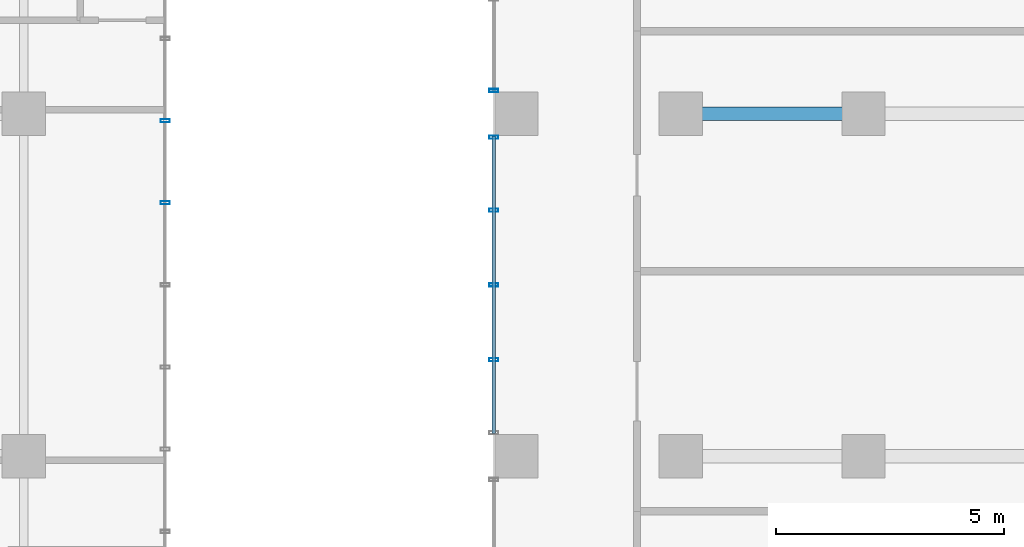
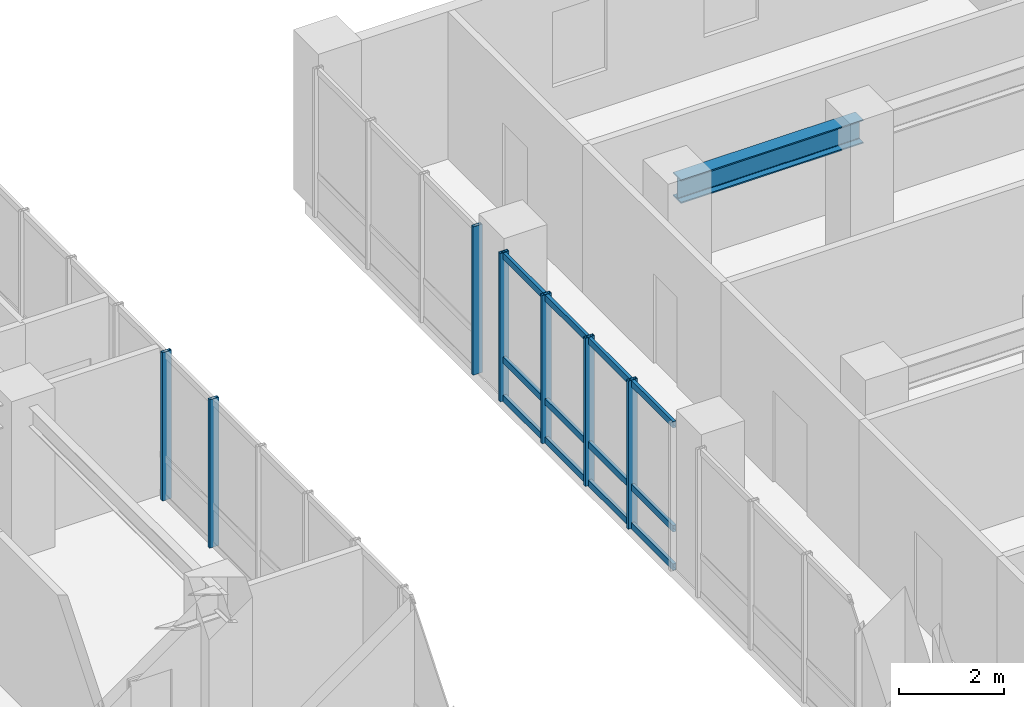
# One storey, part 12 of 24: 10 members, 1 beam, 3 elements without a shape of their own.
"""IFC4 building model written with IfcOpenShell, lengths in metres."""

from ifc_helpers import new_model, si_unit, direction, frame, origin, origin_2d, place, context, subcontext, project, spatial, hollow_rectangle, i_section, extrude, source, transform, mapped, material, layer, layer_set, material_profile, profile_set, type_object, element, aggregate, save


model = new_model("IFC4")

# Units and contexts
model_context = context("Model", 3, precision=1e-05, world=origin(), true_north=direction((0.0, 1.0)))
body_context = subcontext(model_context, "Body", "Model", "MODEL_VIEW")
ifc_project = project(units=[si_unit("LENGTHUNIT", "METRE"), si_unit("AREAUNIT", "SQUARE_METRE"), si_unit("VOLUMEUNIT", "CUBIC_METRE"), si_unit("PLANEANGLEUNIT", "RADIAN"), si_unit("MASSUNIT", "GRAM", prefix="KILO")], contexts=[model_context])

# Site, building, storey
site_placement = place(None, origin())
site = spatial("IfcSite", under=ifc_project, at=site_placement, CompositionType="ELEMENT")
building_placement = place(site_placement, origin())
building = spatial("IfcBuilding", under=site, at=building_placement, Name="Kaliganga Portal Commons", CompositionType="ELEMENT")
storey_placement = place(building_placement, frame((0.0, 0.0, 238.800048828125)))
storey = spatial("IfcBuildingStorey", under=building, at=storey_placement, Name="L61", CompositionType="ELEMENT", Elevation=238.800048828125)

# Beam
ifc_material_1 = material(Name="Structural steel S355J2", Category="steel")
ifc_material_profile_1 = material_profile(ifc_material_1, i_section(OverallWidth=0.300048828125, OverallDepth=0.550048828125, WebThickness=0.014892578125, FlangeThickness=0.029052734375, FilletRadius=0.027099609375, at=origin_2d()), Name="HE 550 B")
ifc_profile_set_1 = profile_set([ifc_material_profile_1], Name="Structural steel S355J2 wide-flange")
beam_type = type_object("IfcBeamType", Name="BM-GIRD-550", PredefinedType="USERDEFINED", material=ifc_profile_set_1)
shared_shape_1 = source(origin(), body_context, "Body", "SweptSolid", [
    extrude(i_section(OverallWidth=0.300048828125, OverallDepth=0.550048828125, WebThickness=0.014892578125, FlangeThickness=0.029052734375, FilletRadius=0.027099609375, at=origin_2d()), origin(), (0.0, 0.0, 1.0), 4.0),
])
beam_placement = place(storey_placement, frame((50.39990234375, 36.14990234375, 3.1650390625), z_axis=(1.0, 0.0, 0.0), x_axis=(0.0, 1.0, 0.0)))
element("IfcBeam", 1, at=beam_placement, inside=storey, type_object=beam_type, Name="BM G L61 BKE362 1", ObjectType="GIRDER", PredefinedType="USERDEFINED", context=body_context, shape_type="MappedRepresentation", body=[
    mapped(shared_shape_1, transform((0.0, 0.0, 0.0), x_axis=(1.0, 0.0, 0.0), y_axis=(0.0, 1.0, 0.0), z_axis=(0.0, 0.0, 1.0), scale=1.0)),
])

# Curtain wall, members
ifc_material_2 = material(Name="Anodized Aluminium and Laminated Low-E Glass", Category="aluminium")
ifc_layer = layer(ifc_material_2, 0.239990234375)
ifc_layer_set = layer_set([ifc_layer], Name="Anodized Aluminium and Laminated Low-E Glass")
curtain_wall_type = type_object("IfcCurtainWallType", Name="CW-SYS-04", PredefinedType="NOTDEFINED", material=ifc_layer_set)
curtain_wall_1_placement = place(storey_placement, origin())
curtain_wall_1 = element("IfcCurtainWall", 2, at=curtain_wall_1_placement, inside=storey, type_object=curtain_wall_type, Name="CW 04 L61 P1E01S1", PredefinedType="NOTDEFINED")
ifc_material_3 = material(Name="Dark Bronze Anodized Aluminium", Category="aluminium")
ifc_material_profile_2 = material_profile(ifc_material_3, hollow_rectangle(XDim=0.070068359375, YDim=0.199951171875, WallThickness=0.00390625, at=origin_2d()), Name="ALU MULL 70x200x4")
ifc_profile_set_2 = profile_set([ifc_material_profile_2], Name="Dark Bronze Anodized Aluminium")
member_type_1 = type_object("IfcMemberType", Name="CW-MUL-220", PredefinedType="MULLION", material=ifc_profile_set_2)
shared_shape_2 = source(origin(), body_context, "Body", "SweptSolid", [
    extrude(hollow_rectangle(XDim=0.070068359375, YDim=0.199951171875, WallThickness=0.00390625, at=origin_2d()), origin(), (0.0, 0.0, 1.0), 3.43994140625),
])
member_1_placement = place(storey_placement, frame((39.10009765625, 34.199951171875, 0.0), z_axis=(0.0, 0.0, 1.0), x_axis=(0.0, 1.0, 0.0)))
member_1 = element("IfcMember", 3, at=member_1_placement, type_object=member_type_1, Name="CW:04:L61:P1E01S1 Mullion 07", PredefinedType="MULLION", context=body_context, shape_type="MappedRepresentation", body=[
    mapped(shared_shape_2, transform((0.0, 0.0, 0.0), x_axis=(1.0, 0.0, 0.0), y_axis=(0.0, 1.0, 0.0), z_axis=(0.0, 0.0, 1.0), scale=1.0)),
])
member_2_placement = place(storey_placement, frame((39.10009765625, 36.0, 0.0), z_axis=(0.0, 0.0, 1.0), x_axis=(0.0, 1.0, 0.0)))
member_2 = element("IfcMember", 4, at=member_2_placement, type_object=member_type_1, Name="CW:04:L61:P1E01S1 Mullion 08", PredefinedType="MULLION", context=body_context, shape_type="MappedRepresentation", body=[
    mapped(shared_shape_2, transform((0.0, 0.0, 0.0), x_axis=(1.0, 0.0, 0.0), y_axis=(0.0, 1.0, 0.0), z_axis=(0.0, 0.0, 1.0), scale=1.0)),
])
aggregate(curtain_wall_1, [member_1, member_2])

# Curtain wall, member
curtain_wall_2_placement = place(storey_placement, origin())
curtain_wall_2 = element("IfcCurtainWall", 5, at=curtain_wall_2_placement, inside=storey, type_object=curtain_wall_type, Name="CW 04 L61 P2E03S1", PredefinedType="NOTDEFINED")
member_3_placement = place(storey_placement, frame((46.300048828125, 36.660888671875, 0.0), z_axis=(0.0, 0.0, 1.0), x_axis=(0.0, -1.0, 0.0)))
member_3 = element("IfcMember", 6, at=member_3_placement, type_object=member_type_1, Name="CW:04:L61:P2E03S1 Mullion 03", PredefinedType="MULLION", context=body_context, shape_type="MappedRepresentation", body=[
    mapped(shared_shape_2, transform((0.0, 0.0, 0.0), x_axis=(1.0, 0.0, 0.0), y_axis=(0.0, 1.0, 0.0), z_axis=(0.0, 0.0, 1.0), scale=1.0)),
])
aggregate(curtain_wall_2, [member_3])

# Curtain wall, members
curtain_wall_3_placement = place(storey_placement, origin())
curtain_wall_3 = element("IfcCurtainWall", 7, at=curtain_wall_3_placement, inside=storey, type_object=curtain_wall_type, Name="CW 04 L61 P2E03S2", PredefinedType="NOTDEFINED")
member_4_placement = place(storey_placement, frame((46.300048828125, 35.638916015625, 0.0), z_axis=(0.0, 0.0, 1.0), x_axis=(0.0, -1.0, 0.0)))
member_4 = element("IfcMember", 8, at=member_4_placement, type_object=member_type_1, Name="CW:04:L61:P2E03S2 Mullion 00", PredefinedType="MULLION", context=body_context, shape_type="MappedRepresentation", body=[
    mapped(shared_shape_2, transform((0.0, 0.0, 0.0), x_axis=(1.0, 0.0, 0.0), y_axis=(0.0, 1.0, 0.0), z_axis=(0.0, 0.0, 1.0), scale=1.0)),
])
member_5_placement = place(storey_placement, frame((46.300048828125, 34.037109375, 0.0), z_axis=(0.0, 0.0, 1.0), x_axis=(0.0, -1.0, 0.0)))
member_5 = element("IfcMember", 9, at=member_5_placement, type_object=member_type_1, Name="CW:04:L61:P2E03S2 Mullion 01", PredefinedType="MULLION", context=body_context, shape_type="MappedRepresentation", body=[
    mapped(shared_shape_2, transform((0.0, 0.0, 0.0), x_axis=(1.0, 0.0, 0.0), y_axis=(0.0, 1.0, 0.0), z_axis=(0.0, 0.0, 1.0), scale=1.0)),
])
member_6_placement = place(storey_placement, frame((46.300048828125, 32.39990234375, 0.0), z_axis=(0.0, 0.0, 1.0), x_axis=(0.0, -1.0, 0.0)))
member_6 = element("IfcMember", 10, at=member_6_placement, type_object=member_type_1, Name="CW:04:L61:P2E03S2 Mullion 02", PredefinedType="MULLION", context=body_context, shape_type="MappedRepresentation", body=[
    mapped(shared_shape_2, transform((0.0, 0.0, 0.0), x_axis=(1.0, 0.0, 0.0), y_axis=(0.0, 1.0, 0.0), z_axis=(0.0, 0.0, 1.0), scale=1.0)),
])
member_7_placement = place(storey_placement, frame((46.300048828125, 30.762939453125, 0.0), z_axis=(0.0, 0.0, 1.0), x_axis=(0.0, -1.0, 0.0)))
member_7 = element("IfcMember", 11, at=member_7_placement, type_object=member_type_1, Name="CW:04:L61:P2E03S2 Mullion 03", PredefinedType="MULLION", context=body_context, shape_type="MappedRepresentation", body=[
    mapped(shared_shape_2, transform((0.0, 0.0, 0.0), x_axis=(1.0, 0.0, 0.0), y_axis=(0.0, 1.0, 0.0), z_axis=(0.0, 0.0, 1.0), scale=1.0)),
])
ifc_material_profile_3 = material_profile(ifc_material_3, hollow_rectangle(XDim=0.070068359375, YDim=0.14990234375, WallThickness=0.00341796875, at=origin_2d()), Name="ALU TRAN 70x150x3.5")
ifc_profile_set_3 = profile_set([ifc_material_profile_3], Name="Dark Bronze Anodized Aluminium")
member_type_2 = type_object("IfcMemberType", Name="CW-TRN-150", PredefinedType="USERDEFINED", material=ifc_profile_set_3)
shared_shape_3 = source(origin(), body_context, "Body", "SweptSolid", [
    extrude(hollow_rectangle(XDim=0.070068359375, YDim=0.14990234375, WallThickness=0.00341796875, at=origin_2d()), origin(), (0.0, 0.0, 1.0), 6.508056640625),
])
member_8_placement = place(storey_placement, frame((46.300048828125, 35.654052734375, 0.06005859375), z_axis=(0.0, -1.0, 0.0), x_axis=(1.0, 0.0, 0.0)))
member_8 = element("IfcMember", 12, at=member_8_placement, type_object=member_type_2, Name="CW:04:L61:P2E03S2 Transom 1", ObjectType="TRANSOM", PredefinedType="USERDEFINED", context=body_context, shape_type="MappedRepresentation", body=[
    mapped(shared_shape_3, transform((0.0, 0.0, 0.0), x_axis=(1.0, 0.0, 0.0), y_axis=(0.0, 1.0, 0.0), z_axis=(0.0, 0.0, 1.0), scale=1.0)),
])
member_9_placement = place(storey_placement, frame((46.300048828125, 35.654052734375, 0.949951171875), z_axis=(0.0, -1.0, 0.0), x_axis=(1.0, 0.0, 0.0)))
member_9 = element("IfcMember", 13, at=member_9_placement, type_object=member_type_2, Name="CW:04:L61:P2E03S2 Transom 2", ObjectType="TRANSOM", PredefinedType="USERDEFINED", context=body_context, shape_type="MappedRepresentation", body=[
    mapped(shared_shape_3, transform((0.0, 0.0, 0.0), x_axis=(1.0, 0.0, 0.0), y_axis=(0.0, 1.0, 0.0), z_axis=(0.0, 0.0, 1.0), scale=1.0)),
])
member_10_placement = place(storey_placement, frame((46.300048828125, 35.654052734375, 3.35986328125), z_axis=(0.0, -1.0, 0.0), x_axis=(1.0, 0.0, 0.0)))
member_10 = element("IfcMember", 14, at=member_10_placement, type_object=member_type_2, Name="CW:04:L61:P2E03S2 Transom 3", ObjectType="TRANSOM", PredefinedType="USERDEFINED", context=body_context, shape_type="MappedRepresentation", body=[
    mapped(shared_shape_3, transform((0.0, 0.0, 0.0), x_axis=(1.0, 0.0, 0.0), y_axis=(0.0, 1.0, 0.0), z_axis=(0.0, 0.0, 1.0), scale=1.0)),
])
aggregate(curtain_wall_3, [member_4, member_5, member_6, member_7, member_8, member_9, member_10])

save(model, "model.ifc")
